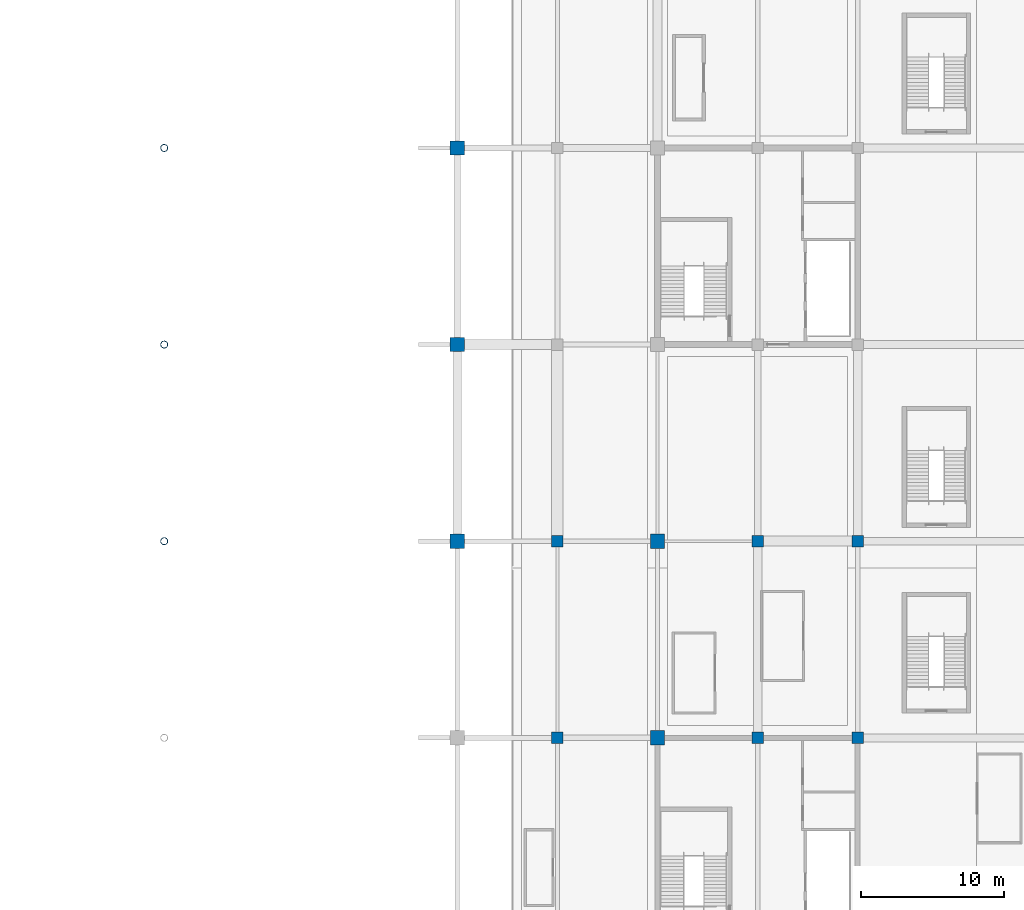
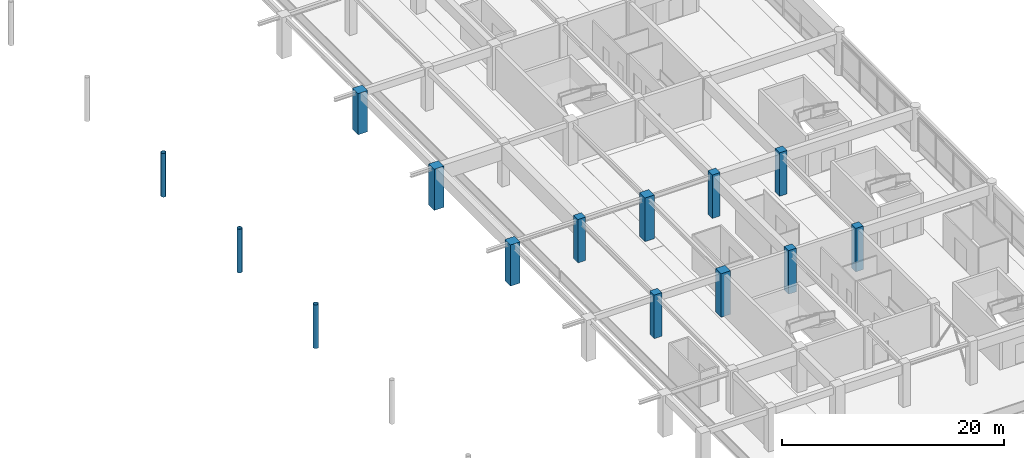
# One storey, part 10 of 91: 14 columns.
"""IFC4 building model written with IfcOpenShell, lengths in metres."""

from ifc_helpers import new_model, si_unit, direction, frame, origin, origin_2d, place, context, subcontext, project, spatial, rectangle, hollow_circle, extrude, material, material_profile, profile_set, type_object, element, save


model = new_model("IFC4")

# Units and contexts
model_context = context("Model", 3, precision=1e-05, world=origin(), true_north=direction((0.0, 1.0)))
body_context = subcontext(model_context, "Body", "Model", "MODEL_VIEW")
ifc_project = project(units=[si_unit("LENGTHUNIT", "METRE"), si_unit("AREAUNIT", "SQUARE_METRE"), si_unit("VOLUMEUNIT", "CUBIC_METRE"), si_unit("PLANEANGLEUNIT", "RADIAN"), si_unit("MASSUNIT", "GRAM", prefix="KILO")], contexts=[model_context])

# Site, building, storey
site_placement = place(None, origin())
site = spatial("IfcSite", under=ifc_project, at=site_placement, CompositionType="ELEMENT")
building_placement = place(site_placement, origin())
building = spatial("IfcBuilding", under=site, at=building_placement, Name="Linyun Crest Stadium", CompositionType="ELEMENT")
storey_placement = place(building_placement, frame((0.0, 0.0, 11.39990234375)))
storey = spatial("IfcBuildingStorey", under=building, at=storey_placement, Name="L03", CompositionType="ELEMENT", Elevation=11.39990234375)

# Columns
ifc_material_1 = material(Name="Concrete C50", Category="concrete")
ifc_material_profile_1 = material_profile(ifc_material_1, rectangle(XDim=0.800048828125, YDim=0.800048828125, at=origin_2d()), Name="RC 800x800")
ifc_profile_set_1 = profile_set([ifc_material_profile_1], Name="Concrete C50")
column_type_1 = type_object("IfcColumnType", Name="C03", PredefinedType="COLUMN", material=ifc_profile_set_1)
for number, where, z_axis, x_axis, name in (
    (1, (63.0, -25.375, 0.0), (0.0, 0.0, 1.0), (1.0, 0.0, 0.0), "Column C03 L03 366"),
    (2, (63.0, -11.625, 0.0), (0.0, 0.0, 1.0), (1.0, 0.0, 0.0), "Column C03 L03 371"),
    (3, (77.0, -25.375, 0.0), (0.0, 0.0, 1.0), (1.0, 0.0, 0.0), "Column C03 L03 454"),
    (4, (77.0, -11.625, 0.0), (0.0, 0.0, 1.0), (1.0, 0.0, 0.0), "Column C03 L03 459"),
    (5, (84.0, -25.375, 0.0), (0.0, 0.0, 1.0), (1.0, 0.0, 0.0), "Column C03 L03 496"),
    (6, (84.0, -11.625, 0.0), (0.0, 0.0, 1.0), (1.0, 0.0, 0.0), "Column C03 L03 502"),
):
    element("IfcColumn", number, at=place(storey_placement, frame(where, z_axis=z_axis, x_axis=x_axis)), inside=storey, type_object=column_type_1, Name=name, PredefinedType="COLUMN", context=body_context, shape_type="SweptSolid", body=[
        extrude(rectangle(XDim=0.800048828125, YDim=0.800048828125, at=origin_2d()), origin(), (0.0, 0.0, 1.0), 4.798095703125),
    ])
ifc_material_2 = material(Name="Concrete C50", Category="concrete")
ifc_material_profile_2 = material_profile(ifc_material_2, rectangle(XDim=1.0, YDim=1.0, at=origin_2d()), Name="RC 1000x1000")
ifc_profile_set_2 = profile_set([ifc_material_profile_2], Name="Concrete C50")
column_type_2 = type_object("IfcColumnType", Name="C05", PredefinedType="COLUMN", material=ifc_profile_set_2)
for number, where, z_axis, x_axis, name in (
    (7, (56.0, -11.625, 0.0), (0.0, 0.0, 1.0), (1.0, 0.0, 0.0), "Column C05 L03 336"),
    (8, (56.0, 2.125, 0.0), (0.0, 0.0, 1.0), (1.0, 0.0, 0.0), "Column C05 L03 340"),
    (9, (56.0, 15.875, 0.0), (0.0, 0.0, 1.0), (1.0, 0.0, 0.0), "Column C05 L03 344"),
):
    element("IfcColumn", number, at=place(storey_placement, frame(where, z_axis=z_axis, x_axis=x_axis)), inside=storey, type_object=column_type_2, Name=name, PredefinedType="COLUMN", context=body_context, shape_type="SweptSolid", body=[
        extrude(rectangle(XDim=1.0, YDim=1.0, at=origin_2d()), origin(), (0.0, 0.0, 1.0), 4.5400390625),
    ])
for number, where, z_axis, x_axis, name in (
    (10, (70.0, -25.375, 0.0), (0.0, 0.0, 1.0), (1.0, 0.0, 0.0), "Column C05 L03 408"),
    (11, (70.0, -11.625, 0.0), (0.0, 0.0, 1.0), (1.0, 0.0, 0.0), "Column C05 L03 414"),
):
    element("IfcColumn", number, at=place(storey_placement, frame(where, z_axis=z_axis, x_axis=x_axis)), inside=storey, type_object=column_type_2, Name=name, PredefinedType="COLUMN", context=body_context, shape_type="SweptSolid", body=[
        extrude(rectangle(XDim=1.0, YDim=1.0, at=origin_2d()), origin(), (0.0, 0.0, 1.0), 4.798095703125),
    ])
ifc_material_3 = material(Name="Steel Q355C", Category="steel")
ifc_material_profile_3 = material_profile(ifc_material_3, hollow_circle(Radius=0.25390625, WallThickness=0.02490234375, at=origin_2d()), Name="CHS 508x25")
ifc_profile_set_3 = profile_set([ifc_material_profile_3], Name="Steel Q355C")
column_type_3 = type_object("IfcColumnType", Name="SC05", PredefinedType="COLUMN", material=ifc_profile_set_3)
for number, where, z_axis, x_axis, name in (
    (12, (35.5, -11.625, 0.0), (0.0, 0.0, 1.0), (1.0, 0.0, 0.0), "Arch colonnade column SC05 L03 24"),
    (13, (35.5, 2.125, 0.0), (0.0, 0.0, 1.0), (1.0, 0.0, 0.0), "Arch colonnade column SC05 L03 26"),
    (14, (35.5, 15.875, 0.0), (0.0, 0.0, 1.0), (1.0, 0.0, 0.0), "Arch colonnade column SC05 L03 28"),
):
    element("IfcColumn", number, at=place(storey_placement, frame(where, z_axis=z_axis, x_axis=x_axis)), inside=storey, type_object=column_type_3, Name=name, PredefinedType="COLUMN", context=body_context, shape_type="SweptSolid", body=[
        extrude(hollow_circle(Radius=0.25390625, WallThickness=0.02490234375, at=origin_2d()), origin(), (0.0, 0.0, 1.0), 4.800048828125),
    ])

save(model, "model.ifc")
